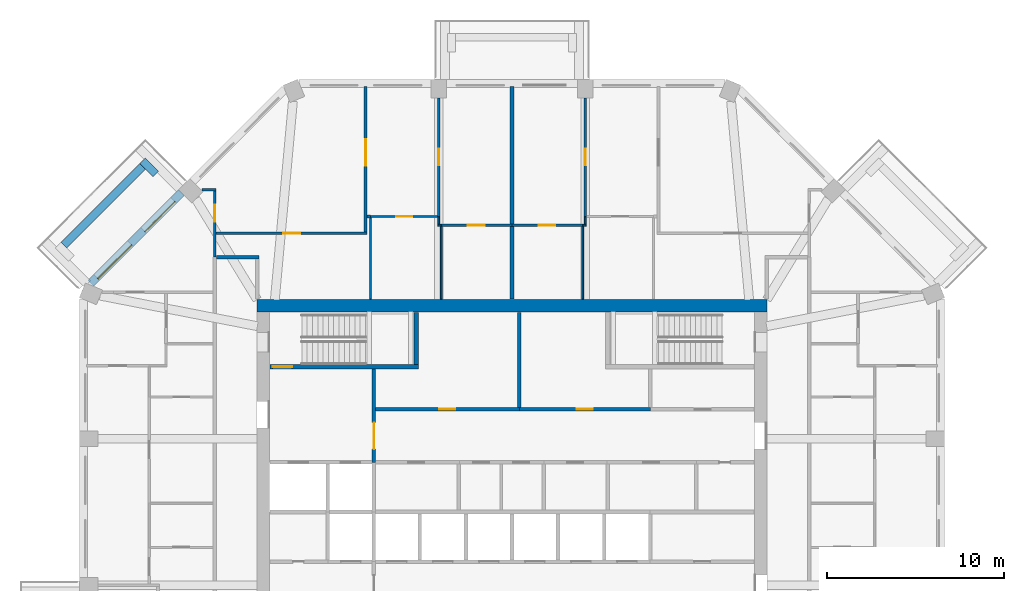
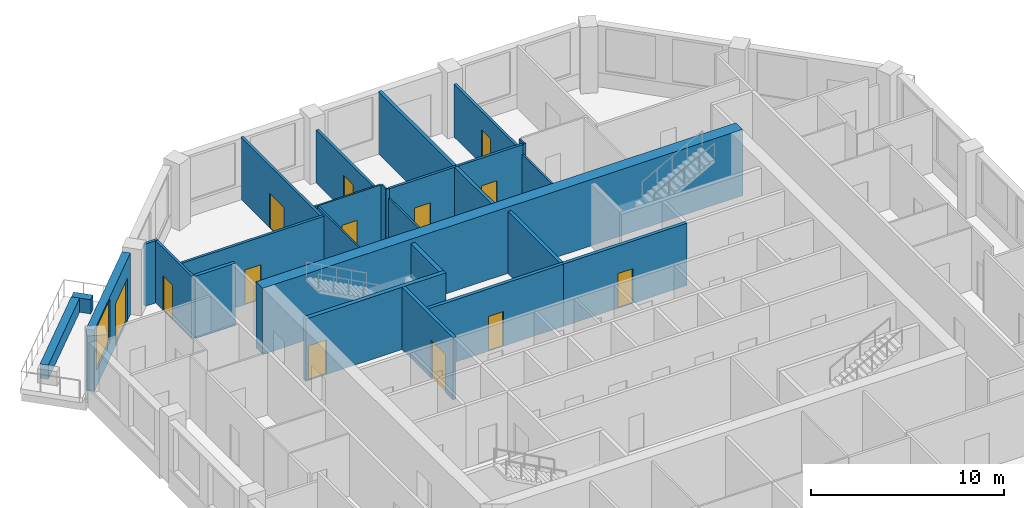
# One storey, part 7 of 10: 29 walls, 13 doors, 1 window, 14 openings.
"""IFC4 building model written with IfcOpenShell, lengths in metres."""

from ifc_helpers import new_model, si_unit, direction, frame, frame_2d, origin, place, context, subcontext, project, spatial, rectangle, extrude, material, layer, layer_set, type_object, element, fill, save


model = new_model("IFC4")

# Units and contexts
model_context = context("Model", 3, precision=1e-05, world=origin(), true_north=direction((0.0, 1.0)))
body_context = subcontext(model_context, "Body", "Model", "MODEL_VIEW")
ifc_project = project(units=[si_unit("LENGTHUNIT", "METRE"), si_unit("AREAUNIT", "SQUARE_METRE"), si_unit("VOLUMEUNIT", "CUBIC_METRE"), si_unit("PLANEANGLEUNIT", "RADIAN"), si_unit("MASSUNIT", "GRAM", prefix="KILO")], contexts=[model_context])

# Site, building, storey
site_placement = place(None, origin())
site = spatial("IfcSite", under=ifc_project, at=site_placement, CompositionType="ELEMENT")
building_placement = place(site_placement, origin())
building = spatial("IfcBuilding", under=site, at=building_placement, Name="Msitu Wima Residences", CompositionType="ELEMENT")
storey_placement = place(building_placement, frame((0.0, 0.0, 187.5)))
storey = spatial("IfcBuildingStorey", under=building, at=storey_placement, Name="L43", CompositionType="ELEMENT", Elevation=187.5)

# Walls
ifc_material_1 = material(Name="Facing brick")
ifc_layer_1 = layer(ifc_material_1, 0.06494140625, Name="Facing brick")
ifc_material_2 = material(Name="Concrete C40/50", Category="concrete")
ifc_layer_2 = layer(ifc_material_2, 0.156005859375, Name="Concrete C40/50")
ifc_material_3 = material(Name="Waterproofing membrane")
ifc_layer_3 = layer(ifc_material_3, 0.00390625, Name="Waterproofing membrane")
ifc_material_4 = material(Name="Planting soil and planting")
ifc_layer_4 = layer(ifc_material_4, 0.22509765625, Name="Planting soil and planting")
ifc_layer_set_1 = layer_set([ifc_layer_1, ifc_layer_2, ifc_layer_3, ifc_layer_4], Name="Concrete C40/50")
wall_type_1 = type_object("IfcWallType", Name="Balcony planter PLANTER PL450", PredefinedType="USERDEFINED", material=ifc_layer_set_1)
wall_1_placement = place(storey_placement, frame((-20.875244140625, 19.53173828125, 0.0), z_axis=(0.0, 0.0, 1.0), x_axis=(-0.707106781187, -0.707106781187, 0.0)))
element("IfcWall", 1, at=wall_1_placement, inside=storey, type_object=wall_type_1, Name="Balcony planter NW1 L43", ObjectType="PLANTER", PredefinedType="USERDEFINED", context=body_context, shape_type="SweptSolid", body=[
    extrude(rectangle(XDim=6.294189453125, YDim=0.449951171875, at=frame_2d((3.14697265625, 0.0))), origin(), (0.0, 0.0, 1.0), 0.89990234375),
])
wall_2_placement = place(storey_placement, frame((-20.1328125, 19.107421875, 0.0), z_axis=(0.0, 0.0, 1.0), x_axis=(-0.707106781187, 0.707106781187, 0.0)))
element("IfcWall", 2, at=wall_2_placement, inside=storey, type_object=wall_type_1, Name="Balcony planter NW1 L43", ObjectType="PLANTER", PredefinedType="USERDEFINED", context=body_context, shape_type="SweptSolid", body=[
    extrude(rectangle(XDim=1.050048828125, YDim=0.449951171875, at=frame_2d((0.52490234375, 0.0))), origin(), (0.0, 0.0, 1.0), 0.89990234375),
])

# Wall, openings, door, window
ifc_material_5 = material(Name="Brick (red buff mix)", Category="masonry")
ifc_layer_5 = layer(ifc_material_5, 0.449951171875)
ifc_layer_set_2 = layer_set([ifc_layer_5], Name="Brick (red buff mix)")
wall_type_2 = type_object("IfcWallType", Name="Brick infill wall BW450", PredefinedType="SOLIDWALL", material=ifc_layer_set_2)
wall_3_placement = place(storey_placement, frame((-18.68310546875, 18.046875, 0.0), z_axis=(0.0, 0.0, 1.0), x_axis=(-0.707106781187, -0.707106781187, 0.0)))
wall_3 = element("IfcWall", 3, at=wall_3_placement, inside=storey, type_object=wall_type_2, Name="Brick infill wall L43 NW1", PredefinedType="SOLIDWALL", context=body_context, shape_type="SweptSolid", body=[
    extrude(rectangle(XDim=7.257080078125, YDim=0.449951171875, at=frame_2d((3.62841796875, 0.0))), origin(), (0.0, 0.0, 1.0), 3.89990234375),
])
opening_1_placement = place(wall_3_placement, frame((0.6142578125, 0.0, 0.0)))
opening_1 = element("IfcOpeningElement", 4, at=opening_1_placement, cuts=wall_3, Name="Opening D43-45.004", PredefinedType="OPENING", context=body_context, shape_type="SweptSolid", body=[
    extrude(rectangle(XDim=2.39990234375, YDim=2.699951171875, at=frame_2d((1.199951171875, 1.35009765625))), frame((0.0, 0.23486328125, 0.0), z_axis=(0.0, -1.0, 0.0), x_axis=(1.0, 0.0, 0.0)), (0.0, 0.0, 1.0), 0.469970703125),
])
opening_2_placement = place(wall_3_placement, frame((4.07861328125, 0.0, 1.050048828125)))
opening_2 = element("IfcOpeningElement", 5, at=opening_2_placement, cuts=wall_3, Name="Opening W43-45.016", PredefinedType="OPENING", context=body_context, shape_type="SweptSolid", body=[
    extrude(rectangle(XDim=2.699951171875, YDim=2.699951171875, at=frame_2d((1.35009765625, 1.35009765625))), frame((0.0, 0.23486328125, 0.0), z_axis=(0.0, -1.0, 0.0), x_axis=(1.0, 0.0, 0.0)), (0.0, 0.0, 1.0), 0.469970703125),
])
ifc_material_6 = material(Name="Anodised aluminium, bronze finish, clear low-emissivity double glazing", Category="aluminium")
door_type_1 = type_object("IfcDoorType", Name="Balcony door D2400x2700", OperationType="SLIDING_TO_LEFT", PredefinedType="DOOR", material=ifc_material_6)
door_1_placement = place(opening_1_placement, origin())
door_1 = element("IfcDoor", 6, at=door_1_placement, inside=storey, type_object=door_type_1, Name="Balcony door L43 NW1", OperationType="SINGLE_SWING_LEFT", OverallHeight=2.699951171875, OverallWidth=2.39990234375, PredefinedType="DOOR", context=body_context, shape_type="SweptSolid", body=[
    extrude(rectangle(XDim=2.39990234375, YDim=2.699951171875, at=frame_2d((1.199951171875, 1.35009765625))), frame((0.0, 0.1298828125, 0.0), z_axis=(0.0, -1.0, 0.0), x_axis=(1.0, 0.0, 0.0)), (0.0, 0.0, 1.0), 0.050048828125),
])
fill(opening_1, door_1)
window_type = type_object("IfcWindowType", Name="Window W2700x2700", PartitioningType="DOUBLE_PANEL_VERTICAL", PredefinedType="WINDOW", material=ifc_material_6)
window_placement = place(opening_2_placement, origin())
window = element("IfcWindow", 7, at=window_placement, inside=storey, type_object=window_type, Name="Window L43 NW1.2", OverallHeight=2.699951171875, OverallWidth=2.699951171875, PartitioningType="SINGLE_PANEL", PredefinedType="WINDOW", context=body_context, shape_type="SweptSolid", body=[
    extrude(rectangle(XDim=2.699951171875, YDim=2.699951171875, at=frame_2d((1.35009765625, 1.35009765625))), frame((0.0, 0.135009765625, 0.0), z_axis=(0.0, -1.0, 0.0), x_axis=(1.0, 0.0, 0.0)), (0.0, 0.0, 1.0), 0.06005859375),
])
fill(opening_2, window)

# Walls
ifc_material_7 = material(Name="Concrete C60/75", Category="concrete")
ifc_layer_6 = layer(ifc_material_7, 0.699951171875)
ifc_layer_set_3 = layer_set([ifc_layer_6], Name="Concrete C60/75")
wall_type_3 = type_object("IfcWallType", Name="Core wall CW700 C60/75", PredefinedType="SHEAR", material=ifc_layer_set_3)
wall_4_placement = place(storey_placement, frame((-14.39990234375, 11.64990234375, 0.0), z_axis=(0.0, 0.0, 1.0), x_axis=(1.0, 0.0, 0.0)))
element("IfcWall", 8, at=wall_4_placement, inside=storey, type_object=wall_type_3, Name="Core wall", PredefinedType="SHEAR", context=body_context, shape_type="SweptSolid", body=[
    extrude(rectangle(XDim=28.7998046875, YDim=0.699951171875, at=frame_2d((14.39990234375, 0.0))), origin(), (0.0, 0.0, 1.0), 4.199951171875),
])
ifc_material_8 = material(Name="Plaster")
ifc_layer_7 = layer(ifc_material_8, 0.011962890625, Name="Plaster")
ifc_material_9 = material(Name="Concrete blockwork", Category="masonry")
ifc_layer_8 = layer(ifc_material_9, 0.176025390625, Name="Concrete blockwork")
ifc_layer_9 = layer(ifc_material_8, 0.011962890625, Name="Plaster")
ifc_layer_set_4 = layer_set([ifc_layer_7, ifc_layer_8, ifc_layer_9], Name="Concrete blockwork")
wall_type_4 = type_object("IfcWallType", Name="Corridor wall FW200", PredefinedType="PARTITIONING", material=ifc_layer_set_4)
wall_5_placement = place(storey_placement, frame((-16.699951171875, 14.39990234375, 0.0), z_axis=(0.0, 0.0, 1.0), x_axis=(1.0, 0.0, 0.0)))
element("IfcWall", 9, at=wall_5_placement, inside=storey, type_object=wall_type_4, Name="Corridor wall", PredefinedType="PARTITIONING", context=body_context, shape_type="SweptSolid", body=[
    extrude(rectangle(XDim=2.39990234375, YDim=0.199951171875, at=frame_2d((1.199951171875, 0.0))), origin(), (0.0, 0.0, 1.0), 3.949951171875),
])

# Wall, opening, door
wall_6_placement = place(storey_placement, frame((-7.800048828125, 2.800048828125, 0.0), z_axis=(0.0, 0.0, 1.0), x_axis=(0.0, 1.0, 0.0)))
wall_6 = element("IfcWall", 10, at=wall_6_placement, inside=storey, type_object=wall_type_4, Name="Corridor wall", PredefinedType="PARTITIONING", context=body_context, shape_type="SweptSolid", body=[
    extrude(rectangle(XDim=5.27490234375, YDim=0.199951171875, at=frame_2d((2.637451171875, 0.0))), origin(), (0.0, 0.0, 1.0), 3.949951171875),
])
opening_3_placement = place(wall_6_placement, frame((0.75, 0.0, 0.0)))
opening_3 = element("IfcOpeningElement", 11, at=opening_3_placement, cuts=wall_6, Name="Opening D43-45.052", PredefinedType="OPENING", context=body_context, shape_type="SweptSolid", body=[
    extrude(rectangle(XDim=1.5, YDim=2.39990234375, at=frame_2d((0.75, 1.199951171875))), frame((0.0, 0.10986328125, 0.0), z_axis=(0.0, -1.0, 0.0), x_axis=(1.0, 0.0, 0.0)), (0.0, 0.0, 1.0), 0.219970703125),
])
ifc_material_10 = material(Name="Steel framed glazed door, fire resisting", Category="steel")
door_type_2 = type_object("IfcDoorType", Name="Lobby door D07 1500x2400", OperationType="DOUBLE_DOOR_SINGLE_SWING", PredefinedType="DOOR", material=ifc_material_10)
door_2_placement = place(opening_3_placement, origin())
door_2 = element("IfcDoor", 12, at=door_2_placement, inside=storey, type_object=door_type_2, Name="Lobby door", OperationType="DOUBLE_DOOR_SINGLE_SWING", OverallHeight=2.39990234375, OverallWidth=1.5, PredefinedType="DOOR", context=body_context, shape_type="SweptSolid", body=[
    extrude(rectangle(XDim=1.5, YDim=2.39990234375, at=frame_2d((0.75, 1.199951171875))), frame((0.0, 0.02490234375, 0.0), z_axis=(0.0, -1.0, 0.0), x_axis=(1.0, 0.0, 0.0)), (0.0, 0.0, 1.0), 0.050048828125),
])
fill(opening_3, door_2)

wall_7_placement = place(storey_placement, frame((-7.699951171875, 5.800048828125, 0.0), z_axis=(0.0, 0.0, 1.0), x_axis=(1.0, 0.0, 0.0)))
wall_7 = element("IfcWall", 13, at=wall_7_placement, inside=storey, type_object=wall_type_4, Name="Corridor wall", PredefinedType="PARTITIONING", context=body_context, shape_type="SweptSolid", body=[
    extrude(rectangle(XDim=8.119873046875, YDim=0.199951171875, at=frame_2d((4.06005859375, 0.0))), origin(), (0.0, 0.0, 1.0), 3.949951171875),
])
opening_4_placement = place(wall_7_placement, frame((3.60009765625, 0.0, 0.0)))
opening_4 = element("IfcOpeningElement", 14, at=opening_4_placement, cuts=wall_7, Name="Opening D43-45.055", PredefinedType="OPENING", context=body_context, shape_type="SweptSolid", body=[
    extrude(rectangle(XDim=0.89990234375, YDim=2.199951171875, at=frame_2d((0.449951171875, 1.10009765625))), frame((0.0, 0.10986328125, 0.0), z_axis=(0.0, -1.0, 0.0), x_axis=(1.0, 0.0, 0.0)), (0.0, 0.0, 1.0), 0.219970703125),
])
ifc_material_11 = material(Name="Timber flush door", Category="wood")
door_type_3 = type_object("IfcDoorType", Name="Service door D05 900x2200", OperationType="SINGLE_SWING_LEFT", PredefinedType="DOOR", material=ifc_material_11)
door_3_placement = place(opening_4_placement, origin())
door_3 = element("IfcDoor", 15, at=door_3_placement, inside=storey, type_object=door_type_3, Name="Service door", OperationType="SINGLE_SWING_LEFT", OverallHeight=2.199951171875, OverallWidth=0.89990234375, PredefinedType="DOOR", context=body_context, shape_type="SweptSolid", body=[
    extrude(rectangle(XDim=0.89990234375, YDim=2.199951171875, at=frame_2d((0.449951171875, 1.10009765625))), frame((0.0, 0.02490234375, 0.0), z_axis=(0.0, -1.0, 0.0), x_axis=(1.0, 0.0, 0.0)), (0.0, 0.0, 1.0), 0.050048828125),
])
fill(opening_4, door_3)

# Wall
ifc_layer_10 = layer(ifc_material_8, 0.011962890625, Name="Plaster")
ifc_layer_11 = layer(ifc_material_9, 0.1259765625, Name="Concrete blockwork")
ifc_layer_12 = layer(ifc_material_8, 0.011962890625, Name="Plaster")
ifc_layer_set_5 = layer_set([ifc_layer_10, ifc_layer_11, ifc_layer_12], Name="Concrete blockwork")
wall_type_5 = type_object("IfcWallType", Name="Partition PW150", PredefinedType="PARTITIONING", material=ifc_layer_set_5)
wall_8_placement = place(storey_placement, frame((-17.509521484375, 18.205810546875, 0.0), z_axis=(0.0, 0.0, 1.0), x_axis=(1.0, 0.0, 0.0)))
element("IfcWall", 16, at=wall_8_placement, inside=storey, type_object=wall_type_5, Name="Partition", PredefinedType="PARTITIONING", context=body_context, shape_type="SweptSolid", body=[
    extrude(rectangle(XDim=0.784423828125, YDim=0.14990234375, at=frame_2d((0.39208984375, 0.0))), origin(), (0.0, 0.0, 1.0), 3.949951171875),
])

# Wall, opening, door
wall_9_placement = place(storey_placement, frame((-16.800048828125, 14.39990234375, 0.0), z_axis=(0.0, 0.0, 1.0), x_axis=(0.0, 1.0, 0.0)))
wall_9 = element("IfcWall", 17, at=wall_9_placement, inside=storey, type_object=wall_type_5, Name="Partition", PredefinedType="PARTITIONING", context=body_context, shape_type="SweptSolid", body=[
    extrude(rectangle(XDim=3.73095703125, YDim=0.14990234375, at=frame_2d((1.865478515625, 0.0))), origin(), (0.0, 0.0, 1.0), 3.949951171875),
])
opening_5_placement = place(wall_9_placement, frame((2.0, 0.0, 0.0)))
opening_5 = element("IfcOpeningElement", 18, at=opening_5_placement, cuts=wall_9, Name="Opening D43-45.049", PredefinedType="OPENING", context=body_context, shape_type="SweptSolid", body=[
    extrude(rectangle(XDim=0.949951171875, YDim=2.199951171875, at=frame_2d((0.47509765625, 1.10009765625))), frame((0.0, 0.0849609375, 0.0), z_axis=(0.0, -1.0, 0.0), x_axis=(1.0, 0.0, 0.0)), (0.0, 0.0, 1.0), 0.169921875),
])
door_type_4 = type_object("IfcDoorType", Name="Room door D12 950x2200", OperationType="SINGLE_SWING_LEFT", PredefinedType="DOOR", material=ifc_material_11)
door_4_placement = place(opening_5_placement, origin())
door_4 = element("IfcDoor", 19, at=door_4_placement, inside=storey, type_object=door_type_4, Name="Room door", OperationType="SINGLE_SWING_RIGHT", OverallHeight=2.199951171875, OverallWidth=0.949951171875, PredefinedType="DOOR", context=body_context, shape_type="SweptSolid", body=[
    extrude(rectangle(XDim=0.949951171875, YDim=2.199951171875, at=frame_2d((0.47509765625, 1.10009765625))), frame((0.0, 0.02490234375, 0.0), z_axis=(0.0, -1.0, 0.0), x_axis=(1.0, 0.0, 0.0)), (0.0, 0.0, 1.0), 0.050048828125),
])
fill(opening_5, door_4)

wall_10_placement = place(storey_placement, frame((-16.72509765625, 15.75, 0.0), z_axis=(0.0, 0.0, 1.0), x_axis=(1.0, 0.0, 0.0)))
wall_10 = element("IfcWall", 20, at=wall_10_placement, inside=storey, type_object=wall_type_5, Name="Partition", PredefinedType="PARTITIONING", context=body_context, shape_type="SweptSolid", body=[
    extrude(rectangle(XDim=8.525634765625, YDim=0.14990234375, at=frame_2d((4.2626953125, 0.0))), origin(), (0.0, 0.0, 1.0), 3.949951171875),
])
opening_6_placement = place(wall_10_placement, frame((3.800048828125, 0.0, 0.0)))
opening_6 = element("IfcOpeningElement", 21, at=opening_6_placement, cuts=wall_10, Name="Opening D43-45.035", PredefinedType="OPENING", context=body_context, shape_type="SweptSolid", body=[
    extrude(rectangle(XDim=0.949951171875, YDim=2.199951171875, at=frame_2d((0.47509765625, 1.10009765625))), frame((0.0, 0.0849609375, 0.0), z_axis=(0.0, -1.0, 0.0), x_axis=(1.0, 0.0, 0.0)), (0.0, 0.0, 1.0), 0.169921875),
])
door_5_placement = place(opening_6_placement, origin())
door_5 = element("IfcDoor", 22, at=door_5_placement, inside=storey, type_object=door_type_4, Name="Room door", OperationType="SINGLE_SWING_RIGHT", OverallHeight=2.199951171875, OverallWidth=0.949951171875, PredefinedType="DOOR", context=body_context, shape_type="SweptSolid", body=[
    extrude(rectangle(XDim=0.949951171875, YDim=2.199951171875, at=frame_2d((0.47509765625, 1.10009765625))), frame((0.0, 0.02490234375, 0.0), z_axis=(0.0, -1.0, 0.0), x_axis=(1.0, 0.0, 0.0)), (0.0, 0.0, 1.0), 0.050048828125),
])
fill(opening_6, door_5)

wall_11_placement = place(storey_placement, frame((-8.2744140625, 15.824951171875, 0.0), z_axis=(0.0, 0.0, 1.0), x_axis=(0.0, 1.0, 0.0)))
wall_11 = element("IfcWall", 23, at=wall_11_placement, inside=storey, type_object=wall_type_5, Name="Partition", PredefinedType="PARTITIONING", context=body_context, shape_type="SweptSolid", body=[
    extrude(rectangle(XDim=8.22998046875, YDim=0.14990234375, at=frame_2d((4.114990234375, 0.0))), origin(), (0.0, 0.0, 1.0), 3.949951171875),
])
opening_7_placement = place(wall_11_placement, frame((3.75, 0.0, 0.0)))
opening_7 = element("IfcOpeningElement", 24, at=opening_7_placement, cuts=wall_11, Name="Opening D43-45.036", PredefinedType="OPENING", context=body_context, shape_type="SweptSolid", body=[
    extrude(rectangle(XDim=1.5, YDim=2.199951171875, at=frame_2d((0.75, 1.10009765625))), frame((0.0, 0.0849609375, 0.0), z_axis=(0.0, -1.0, 0.0), x_axis=(1.0, 0.0, 0.0)), (0.0, 0.0, 1.0), 0.169921875),
])
ifc_material_12 = material(Name="Timber double door", Category="wood")
door_type_5 = type_object("IfcDoorType", Name="Double door D04 1500x2200", OperationType="DOUBLE_DOOR_SINGLE_SWING", PredefinedType="DOOR", material=ifc_material_12)
door_6_placement = place(opening_7_placement, origin())
door_6 = element("IfcDoor", 25, at=door_6_placement, inside=storey, type_object=door_type_5, Name="Double door", OperationType="DOUBLE_DOOR_SINGLE_SWING", OverallHeight=2.199951171875, OverallWidth=1.5, PredefinedType="DOOR", context=body_context, shape_type="SweptSolid", body=[
    extrude(rectangle(XDim=1.5, YDim=2.199951171875, at=frame_2d((0.75, 1.10009765625))), frame((0.0, 0.02490234375, 0.0), z_axis=(0.0, -1.0, 0.0), x_axis=(1.0, 0.0, 0.0)), (0.0, 0.0, 1.0), 0.050048828125),
])
fill(opening_7, door_6)

# Wall
wall_12_placement = place(storey_placement, frame((-8.199462890625, 16.699951171875, 0.0), z_axis=(0.0, 0.0, 1.0), x_axis=(1.0, 0.0, 0.0)))
element("IfcWall", 26, at=wall_12_placement, inside=storey, type_object=wall_type_5, Name="Partition", PredefinedType="PARTITIONING", context=body_context, shape_type="SweptSolid", body=[
    extrude(rectangle(XDim=0.199462890625, YDim=0.14990234375, at=frame_2d((0.099609375, 0.0))), origin(), (0.0, 0.0, 1.0), 3.949951171875),
])

# Wall, opening, door
wall_13_placement = place(storey_placement, frame((-4.13720703125, 16.679931640625, 0.0), z_axis=(0.0, 0.0, 1.0), x_axis=(0.0, 1.0, 0.0)))
wall_13 = element("IfcWall", 27, at=wall_13_placement, inside=storey, type_object=wall_type_5, Name="Partition", PredefinedType="PARTITIONING", context=body_context, shape_type="SweptSolid", body=[
    extrude(rectangle(XDim=6.719970703125, YDim=0.14990234375, at=frame_2d((3.35986328125, 0.0))), origin(), (0.0, 0.0, 1.0), 3.35009765625),
])
opening_8_placement = place(wall_13_placement, frame((2.89990234375, 0.0, 0.0)))
opening_8 = element("IfcOpeningElement", 28, at=opening_8_placement, cuts=wall_13, Name="Opening D43-45.040", PredefinedType="OPENING", context=body_context, shape_type="SweptSolid", body=[
    extrude(rectangle(XDim=0.949951171875, YDim=2.199951171875, at=frame_2d((0.47509765625, 1.10009765625))), frame((0.0, 0.0849609375, 0.0), z_axis=(0.0, -1.0, 0.0), x_axis=(1.0, 0.0, 0.0)), (0.0, 0.0, 1.0), 0.169921875),
])
door_7_placement = place(opening_8_placement, origin())
door_7 = element("IfcDoor", 29, at=door_7_placement, inside=storey, type_object=door_type_4, Name="Room door", OperationType="SINGLE_SWING_LEFT", OverallHeight=2.199951171875, OverallWidth=0.949951171875, PredefinedType="DOOR", context=body_context, shape_type="SweptSolid", body=[
    extrude(rectangle(XDim=0.949951171875, YDim=2.199951171875, at=frame_2d((0.47509765625, 1.10009765625))), frame((0.0, 0.02490234375, 0.0), z_axis=(0.0, -1.0, 0.0), x_axis=(1.0, 0.0, 0.0)), (0.0, 0.0, 1.0), 0.050048828125),
])
fill(opening_8, door_7)

wall_14_placement = place(storey_placement, frame((-4.0, 16.199951171875, 0.0), z_axis=(0.0, 0.0, 1.0), x_axis=(1.0, 0.0, 0.0)))
wall_14 = element("IfcWall", 30, at=wall_14_placement, inside=storey, type_object=wall_type_5, Name="Partition", PredefinedType="PARTITIONING", context=body_context, shape_type="SweptSolid", body=[
    extrude(rectangle(XDim=4.0, YDim=0.14990234375, at=frame_2d((2.0, 0.0))), origin(), (0.0, 0.0, 1.0), 3.949951171875),
])
opening_9_placement = place(wall_14_placement, frame((1.5, 0.0, 0.0)))
opening_9 = element("IfcOpeningElement", 31, at=opening_9_placement, cuts=wall_14, Name="Opening D43-45.042", PredefinedType="OPENING", context=body_context, shape_type="SweptSolid", body=[
    extrude(rectangle(XDim=0.949951171875, YDim=2.199951171875, at=frame_2d((0.47509765625, 1.10009765625))), frame((0.0, 0.0849609375, 0.0), z_axis=(0.0, -1.0, 0.0), x_axis=(1.0, 0.0, 0.0)), (0.0, 0.0, 1.0), 0.169921875),
])
door_8_placement = place(opening_9_placement, origin())
door_8 = element("IfcDoor", 32, at=door_8_placement, inside=storey, type_object=door_type_4, Name="Room door", OperationType="SINGLE_SWING_RIGHT", OverallHeight=2.199951171875, OverallWidth=0.949951171875, PredefinedType="DOOR", context=body_context, shape_type="SweptSolid", body=[
    extrude(rectangle(XDim=0.949951171875, YDim=2.199951171875, at=frame_2d((0.47509765625, 1.10009765625))), frame((0.0, 0.02490234375, 0.0), z_axis=(0.0, -1.0, 0.0), x_axis=(1.0, 0.0, 0.0)), (0.0, 0.0, 1.0), 0.050048828125),
])
fill(opening_9, door_8)

wall_15_placement = place(storey_placement, frame((0.0, 16.199951171875, 0.0), z_axis=(0.0, 0.0, 1.0), x_axis=(1.0, 0.0, 0.0)))
wall_15 = element("IfcWall", 33, at=wall_15_placement, inside=storey, type_object=wall_type_5, Name="Partition", PredefinedType="PARTITIONING", context=body_context, shape_type="SweptSolid", body=[
    extrude(rectangle(XDim=4.0, YDim=0.14990234375, at=frame_2d((2.0, 0.0))), origin(), (0.0, 0.0, 1.0), 3.949951171875),
])
opening_10_placement = place(wall_15_placement, frame((1.5, 0.0, 0.0)))
opening_10 = element("IfcOpeningElement", 34, at=opening_10_placement, cuts=wall_15, Name="Opening D43-45.021", PredefinedType="OPENING", context=body_context, shape_type="SweptSolid", body=[
    extrude(rectangle(XDim=0.949951171875, YDim=2.199951171875, at=frame_2d((0.47509765625, 1.10009765625))), frame((0.0, 0.0849609375, 0.0), z_axis=(0.0, -1.0, 0.0), x_axis=(1.0, 0.0, 0.0)), (0.0, 0.0, 1.0), 0.169921875),
])
door_9_placement = place(opening_10_placement, origin())
door_9 = element("IfcDoor", 35, at=door_9_placement, inside=storey, type_object=door_type_4, Name="Room door", OperationType="SINGLE_SWING_LEFT", OverallHeight=2.199951171875, OverallWidth=0.949951171875, PredefinedType="DOOR", context=body_context, shape_type="SweptSolid", body=[
    extrude(rectangle(XDim=0.949951171875, YDim=2.199951171875, at=frame_2d((0.47509765625, 1.10009765625))), frame((0.0, 0.02490234375, 0.0), z_axis=(0.0, -1.0, 0.0), x_axis=(1.0, 0.0, 0.0)), (0.0, 0.0, 1.0), 0.050048828125),
])
fill(opening_10, door_9)

wall_16_placement = place(storey_placement, frame((4.13720703125, 16.679931640625, 0.0), z_axis=(0.0, 0.0, 1.0), x_axis=(0.0, 1.0, 0.0)))
wall_16 = element("IfcWall", 36, at=wall_16_placement, inside=storey, type_object=wall_type_5, Name="Partition", PredefinedType="PARTITIONING", context=body_context, shape_type="SweptSolid", body=[
    extrude(rectangle(XDim=6.719970703125, YDim=0.14990234375, at=frame_2d((3.35986328125, 0.0))), origin(), (0.0, 0.0, 1.0), 3.35009765625),
])
opening_11_placement = place(wall_16_placement, frame((2.89990234375, 0.0, 0.0)))
opening_11 = element("IfcOpeningElement", 37, at=opening_11_placement, cuts=wall_16, Name="Opening D43-45.019", PredefinedType="OPENING", context=body_context, shape_type="SweptSolid", body=[
    extrude(rectangle(XDim=0.949951171875, YDim=2.199951171875, at=frame_2d((0.47509765625, 1.10009765625))), frame((0.0, 0.0849609375, 0.0), z_axis=(0.0, -1.0, 0.0), x_axis=(1.0, 0.0, 0.0)), (0.0, 0.0, 1.0), 0.169921875),
])
door_10_placement = place(opening_11_placement, origin())
door_10 = element("IfcDoor", 38, at=door_10_placement, inside=storey, type_object=door_type_4, Name="Room door", OperationType="SINGLE_SWING_RIGHT", OverallHeight=2.199951171875, OverallWidth=0.949951171875, PredefinedType="DOOR", context=body_context, shape_type="SweptSolid", body=[
    extrude(rectangle(XDim=0.949951171875, YDim=2.199951171875, at=frame_2d((0.47509765625, 1.10009765625))), frame((0.0, 0.02490234375, 0.0), z_axis=(0.0, -1.0, 0.0), x_axis=(1.0, 0.0, 0.0)), (0.0, 0.0, 1.0), 0.050048828125),
])
fill(opening_11, door_10)

# Wall
ifc_layer_13 = layer(ifc_material_8, 0.011962890625, Name="Plaster")
ifc_material_13 = material(Name="Dense concrete blockwork", Category="masonry")
ifc_layer_14 = layer(ifc_material_13, 0.176025390625, Name="Dense concrete blockwork")
ifc_layer_15 = layer(ifc_material_8, 0.011962890625, Name="Plaster")
ifc_layer_set_6 = layer_set([ifc_layer_13, ifc_layer_14, ifc_layer_15], Name="Dense concrete blockwork")
wall_type_6 = type_object("IfcWallType", Name="Party wall PW200", PredefinedType="PARTITIONING", material=ifc_layer_set_6)
wall_17_placement = place(storey_placement, frame((0.0, 12.030029296875, 0.0), z_axis=(0.0, 0.0, 1.0), x_axis=(0.0, 1.0, 0.0)))
element("IfcWall", 39, at=wall_17_placement, inside=storey, type_object=wall_type_6, Name="Party wall", PredefinedType="PARTITIONING", context=body_context, shape_type="SweptSolid", body=[
    extrude(rectangle(XDim=12.02490234375, YDim=0.199951171875, at=frame_2d((6.012451171875, 0.0))), origin(), (0.0, 0.0, 1.0), 3.949951171875),
])

# Wall, opening, door
ifc_layer_16 = layer(ifc_material_8, 0.011962890625, Name="Plaster")
ifc_material_14 = material(Name="Reinforced concrete blockwork", Category="masonry")
ifc_layer_17 = layer(ifc_material_14, 0.176025390625, Name="Reinforced concrete blockwork")
ifc_layer_18 = layer(ifc_material_8, 0.011962890625, Name="Plaster")
ifc_layer_set_7 = layer_set([ifc_layer_16, ifc_layer_17, ifc_layer_18], Name="Reinforced concrete blockwork")
wall_type_7 = type_object("IfcWallType", Name="Plant and riser wall PL200", PredefinedType="PARTITIONING", material=ifc_layer_set_7)
wall_18_placement = place(storey_placement, frame((0.419921875, 5.800048828125, 0.0), z_axis=(0.0, 0.0, 1.0), x_axis=(1.0, 0.0, 0.0)))
wall_18 = element("IfcWall", 40, at=wall_18_placement, inside=storey, type_object=wall_type_7, Name="Plant and riser wall", PredefinedType="PARTITIONING", context=body_context, shape_type="SweptSolid", body=[
    extrude(rectangle(XDim=7.400146484375, YDim=0.199951171875, at=frame_2d((3.7001953125, 0.0))), origin(), (0.0, 0.0, 1.0), 3.949951171875),
])
opening_12_placement = place(wall_18_placement, frame((3.25, 0.0, 0.0)))
opening_12 = element("IfcOpeningElement", 41, at=opening_12_placement, cuts=wall_18, Name="Opening D43-45.056", PredefinedType="OPENING", context=body_context, shape_type="SweptSolid", body=[
    extrude(rectangle(XDim=0.89990234375, YDim=2.199951171875, at=frame_2d((0.449951171875, 1.10009765625))), frame((0.0, 0.10986328125, 0.0), z_axis=(0.0, -1.0, 0.0), x_axis=(1.0, 0.0, 0.0)), (0.0, 0.0, 1.0), 0.219970703125),
])
door_11_placement = place(opening_12_placement, origin())
door_11 = element("IfcDoor", 42, at=door_11_placement, inside=storey, type_object=door_type_3, Name="Service door", OperationType="SINGLE_SWING_RIGHT", OverallHeight=2.199951171875, OverallWidth=0.89990234375, PredefinedType="DOOR", context=body_context, shape_type="SweptSolid", body=[
    extrude(rectangle(XDim=0.89990234375, YDim=2.199951171875, at=frame_2d((0.449951171875, 1.10009765625))), frame((0.0, 0.02490234375, 0.0), z_axis=(0.0, -1.0, 0.0), x_axis=(1.0, 0.0, 0.0)), (0.0, 0.0, 1.0), 0.050048828125),
])
fill(opening_12, door_11)

# Wall
wall_19_placement = place(storey_placement, frame((0.39990234375, 5.89990234375, 0.0), z_axis=(0.0, 0.0, 1.0), x_axis=(0.0, 1.0, 0.0)))
element("IfcWall", 43, at=wall_19_placement, inside=storey, type_object=wall_type_7, Name="Plant and riser wall", PredefinedType="PARTITIONING", context=body_context, shape_type="SweptSolid", body=[
    extrude(rectangle(XDim=5.3701171875, YDim=0.199951171875, at=frame_2d((2.68505859375, 0.0))), origin(), (0.0, 0.0, 1.0), 3.949951171875),
])

# Wall, opening, door
ifc_material_15 = material(Name="Concrete C50/60", Category="concrete")
ifc_layer_19 = layer(ifc_material_15, 0.25)
ifc_layer_set_8 = layer_set([ifc_layer_19], Name="Concrete C50/60")
wall_type_8 = type_object("IfcWallType", Name="Stair enclosure wall SW250", PredefinedType="SHEAR", material=ifc_layer_set_8)
wall_20_placement = place(storey_placement, frame((-13.669921875, 8.199951171875, 0.0), z_axis=(0.0, 0.0, 1.0), x_axis=(1.0, 0.0, 0.0)))
wall_20 = element("IfcWall", 44, at=wall_20_placement, inside=storey, type_object=wall_type_8, Name="Stair enclosure wall", PredefinedType="SHEAR", context=body_context, shape_type="SweptSolid", body=[
    extrude(rectangle(XDim=8.39501953125, YDim=0.25, at=frame_2d((4.197509765625, 0.0))), origin(), (0.0, 0.0, 1.0), 3.949951171875),
])
opening_13_placement = place(wall_20_placement, frame((0.14990234375, 0.0, 0.0)))
opening_13 = element("IfcOpeningElement", 45, at=opening_13_placement, cuts=wall_20, Name="Opening D43-45.070", PredefinedType="OPENING", context=body_context, shape_type="SweptSolid", body=[
    extrude(rectangle(XDim=1.10009765625, YDim=2.199951171875, at=frame_2d((0.550048828125, 1.10009765625))), frame((0.0, 0.135009765625, 0.0), z_axis=(0.0, -1.0, 0.0), x_axis=(1.0, 0.0, 0.0)), (0.0, 0.0, 1.0), 0.27001953125),
])
ifc_material_16 = material(Name="Steel door, fire resisting, panic bar", Category="steel")
door_type_6 = type_object("IfcDoorType", Name="Stair door D06 1100x2200", OperationType="SINGLE_SWING_LEFT", PredefinedType="DOOR", material=ifc_material_16)
door_12_placement = place(opening_13_placement, origin())
door_12 = element("IfcDoor", 46, at=door_12_placement, inside=storey, type_object=door_type_6, Name="Stair door", OperationType="SINGLE_SWING_LEFT", OverallHeight=2.199951171875, OverallWidth=1.10009765625, PredefinedType="DOOR", context=body_context, shape_type="SweptSolid", body=[
    extrude(rectangle(XDim=1.10009765625, YDim=2.199951171875, at=frame_2d((0.550048828125, 1.10009765625))), frame((0.0, 0.02490234375, 0.0), z_axis=(0.0, -1.0, 0.0), x_axis=(1.0, 0.0, 0.0)), (0.0, 0.0, 1.0), 0.050048828125),
])
fill(opening_13, door_12)

# Walls
wall_21_placement = place(storey_placement, frame((-5.39990234375, 8.324951171875, 0.0), z_axis=(0.0, 0.0, 1.0), x_axis=(0.0, 1.0, 0.0)))
element("IfcWall", 47, at=wall_21_placement, inside=storey, type_object=wall_type_8, Name="Stair enclosure wall", PredefinedType="SHEAR", context=body_context, shape_type="SweptSolid", body=[
    extrude(rectangle(XDim=2.945068359375, YDim=0.25, at=frame_2d((1.47265625, 0.0))), origin(), (0.0, 0.0, 1.0), 3.949951171875),
])
ifc_material_17 = material(Name="Ceramic tiles")
ifc_layer_20 = layer(ifc_material_17, 0.008056640625, Name="Ceramic tiles")
ifc_material_18 = material(Name="Moisture-resistant board")
ifc_layer_21 = layer(ifc_material_18, 0.012451171875, Name="Moisture-resistant board")
ifc_material_19 = material(Name="Light-gauge stud framing with mineral wool")
ifc_layer_22 = layer(ifc_material_19, 0.06689453125, Name="Light-gauge stud framing with mineral wool")
ifc_layer_23 = layer(ifc_material_18, 0.012451171875, Name="Moisture-resistant board")
ifc_layer_set_9 = layer_set([ifc_layer_20, ifc_layer_21, ifc_layer_22, ifc_layer_23], Name="Light-gauge stud framing with mineral wool")
wall_type_9 = type_object("IfcWallType", Name="Wet wall PW100", PredefinedType="PARTITIONING", material=ifc_layer_set_9)
wall_22_placement = place(storey_placement, frame((-8.0, 12.030029296875, 0.0), z_axis=(0.0, 0.0, 1.0), x_axis=(0.0, 1.0, 0.0)))
element("IfcWall", 48, at=wall_22_placement, inside=storey, type_object=wall_type_9, Name="Wet wall", PredefinedType="PARTITIONING", context=body_context, shape_type="SweptSolid", body=[
    extrude(rectangle(XDim=4.594970703125, YDim=0.10009765625, at=frame_2d((2.29736328125, 0.0))), origin(), (0.0, 0.0, 1.0), 3.949951171875),
])

# Wall, opening, door
wall_23_placement = place(storey_placement, frame((-8.0, 16.699951171875, 0.0), z_axis=(0.0, 0.0, 1.0), x_axis=(1.0, 0.0, 0.0)))
wall_23 = element("IfcWall", 49, at=wall_23_placement, inside=storey, type_object=wall_type_9, Name="Wet wall", PredefinedType="PARTITIONING", context=body_context, shape_type="SweptSolid", body=[
    extrude(rectangle(XDim=3.787841796875, YDim=0.10009765625, at=frame_2d((1.89404296875, 0.0))), origin(), (0.0, 0.0, 1.0), 3.949951171875),
])
opening_14_placement = place(wall_23_placement, frame((1.449951171875, 0.0, 0.0)))
opening_14 = element("IfcOpeningElement", 50, at=opening_14_placement, cuts=wall_23, Name="Opening D43-45.039", PredefinedType="OPENING", context=body_context, shape_type="SweptSolid", body=[
    extrude(rectangle(XDim=0.89990234375, YDim=2.199951171875, at=frame_2d((0.449951171875, 1.10009765625))), frame((0.0, 0.06005859375, 0.0), z_axis=(0.0, -1.0, 0.0), x_axis=(1.0, 0.0, 0.0)), (0.0, 0.0, 1.0), 0.1201171875),
])
ifc_material_20 = material(Name="Timber flush door, moisture resistant", Category="wood")
door_type_7 = type_object("IfcDoorType", Name="Bathroom door D03 900x2200", OperationType="SINGLE_SWING_LEFT", PredefinedType="DOOR", material=ifc_material_20)
door_13_placement = place(opening_14_placement, origin())
door_13 = element("IfcDoor", 51, at=door_13_placement, inside=storey, type_object=door_type_7, Name="Bathroom door", OperationType="SINGLE_SWING_RIGHT", OverallHeight=2.199951171875, OverallWidth=0.89990234375, PredefinedType="DOOR", context=body_context, shape_type="SweptSolid", body=[
    extrude(rectangle(XDim=0.89990234375, YDim=2.199951171875, at=frame_2d((0.449951171875, 1.10009765625))), frame((0.0, 0.02490234375, 0.0), z_axis=(0.0, -1.0, 0.0), x_axis=(1.0, 0.0, 0.0)), (0.0, 0.0, 1.0), 0.050048828125),
])
fill(opening_14, door_13)

# Walls
wall_24_placement = place(storey_placement, frame((-4.13720703125, 16.25, 0.0), z_axis=(0.0, 0.0, 1.0), x_axis=(0.0, 1.0, 0.0)))
element("IfcWall", 52, at=wall_24_placement, inside=storey, type_object=wall_type_9, Name="Wet wall", PredefinedType="PARTITIONING", context=body_context, shape_type="SweptSolid", body=[
    extrude(rectangle(XDim=0.429931640625, YDim=0.10009765625, at=frame_2d((0.21484375, 0.0))), origin(), (0.0, 0.0, 1.0), 3.949951171875),
])
wall_25_placement = place(storey_placement, frame((-4.187255859375, 16.199951171875, 0.0), z_axis=(0.0, 0.0, 1.0), x_axis=(1.0, 0.0, 0.0)))
element("IfcWall", 53, at=wall_25_placement, inside=storey, type_object=wall_type_9, Name="Wet wall", PredefinedType="PARTITIONING", context=body_context, shape_type="SweptSolid", body=[
    extrude(rectangle(XDim=0.187255859375, YDim=0.10009765625, at=frame_2d((0.09375, 0.0))), origin(), (0.0, 0.0, 1.0), 3.949951171875),
])
wall_26_placement = place(storey_placement, frame((-4.0, 12.030029296875, 0.0), z_axis=(0.0, 0.0, 1.0), x_axis=(0.0, 1.0, 0.0)))
element("IfcWall", 54, at=wall_26_placement, inside=storey, type_object=wall_type_9, Name="Wet wall", PredefinedType="PARTITIONING", context=body_context, shape_type="SweptSolid", body=[
    extrude(rectangle(XDim=4.119873046875, YDim=0.10009765625, at=frame_2d((2.06005859375, 0.0))), origin(), (0.0, 0.0, 1.0), 3.35009765625),
])
wall_27_placement = place(storey_placement, frame((4.0, 16.199951171875, 0.0), z_axis=(0.0, 0.0, 1.0), x_axis=(1.0, 0.0, 0.0)))
element("IfcWall", 55, at=wall_27_placement, inside=storey, type_object=wall_type_9, Name="Wet wall", PredefinedType="PARTITIONING", context=body_context, shape_type="SweptSolid", body=[
    extrude(rectangle(XDim=0.187255859375, YDim=0.10009765625, at=frame_2d((0.09375, 0.0))), origin(), (0.0, 0.0, 1.0), 3.949951171875),
])
wall_28_placement = place(storey_placement, frame((4.0, 12.030029296875, 0.0), z_axis=(0.0, 0.0, 1.0), x_axis=(0.0, 1.0, 0.0)))
element("IfcWall", 56, at=wall_28_placement, inside=storey, type_object=wall_type_9, Name="Wet wall", PredefinedType="PARTITIONING", context=body_context, shape_type="SweptSolid", body=[
    extrude(rectangle(XDim=4.094970703125, YDim=0.10009765625, at=frame_2d((2.04736328125, 0.0))), origin(), (0.0, 0.0, 1.0), 3.35009765625),
])
wall_29_placement = place(storey_placement, frame((4.13720703125, 16.25, 0.0), z_axis=(0.0, 0.0, 1.0), x_axis=(0.0, 1.0, 0.0)))
element("IfcWall", 57, at=wall_29_placement, inside=storey, type_object=wall_type_9, Name="Wet wall", PredefinedType="PARTITIONING", context=body_context, shape_type="SweptSolid", body=[
    extrude(rectangle(XDim=0.429931640625, YDim=0.10009765625, at=frame_2d((0.21484375, 0.0))), origin(), (0.0, 0.0, 1.0), 3.949951171875),
])

save(model, "model.ifc")
